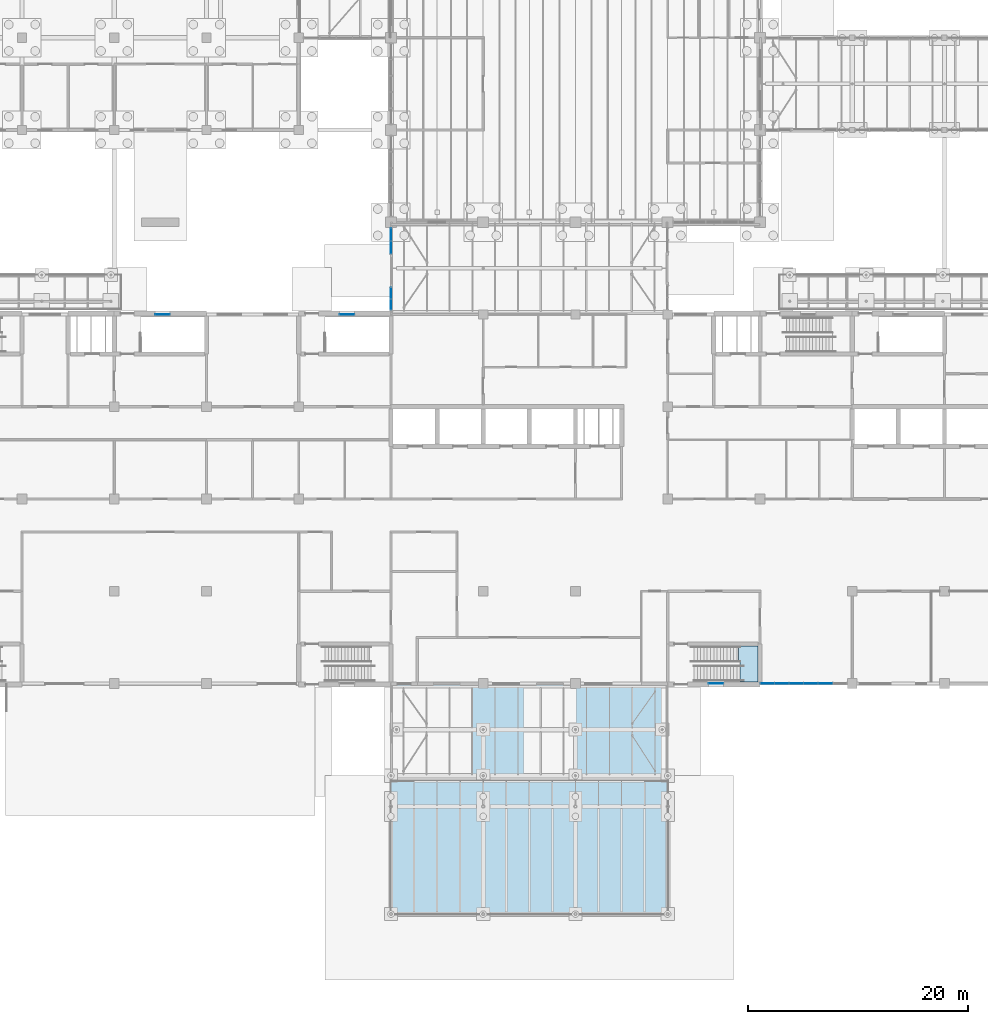
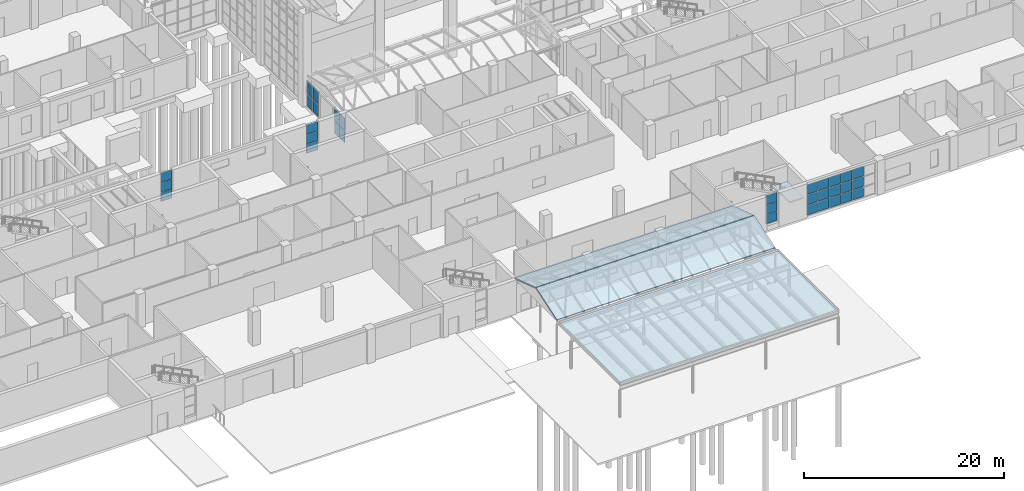
# One storey, part 78 of 138: 32 plates, 4 slabs, 7 elements without a shape of their own.
"""IFC4 building model written with IfcOpenShell, lengths in metres."""

from ifc_helpers import new_model, si_unit, direction, frame, origin, origin_2d, place, context, subcontext, project, spatial, polyline, rectangle, outline, extrude, material, layer, layer_set, type_object, element, aggregate, save


model = new_model("IFC4")

# Units and contexts
model_context = context("Model", 3, precision=1e-05, world=origin(), true_north=direction((0.0, 1.0)))
body_context = subcontext(model_context, "Body", "Model", "MODEL_VIEW")
ifc_project = project(units=[si_unit("LENGTHUNIT", "METRE"), si_unit("AREAUNIT", "SQUARE_METRE"), si_unit("VOLUMEUNIT", "CUBIC_METRE"), si_unit("PLANEANGLEUNIT", "RADIAN"), si_unit("MASSUNIT", "GRAM", prefix="KILO")], contexts=[model_context])

# Site, building, storey
site_placement = place(None, origin())
site = spatial("IfcSite", under=ifc_project, at=site_placement, CompositionType="ELEMENT")
building_placement = place(site_placement, origin())
building = spatial("IfcBuilding", under=site, at=building_placement, Name="Yavir Park General Hospital", CompositionType="ELEMENT")
storey_placement = place(building_placement, origin())
storey = spatial("IfcBuildingStorey", under=building, at=storey_placement, Name="L00", CompositionType="ELEMENT", Elevation=0.0)

# Curtain wall, plates
ifc_material_1 = material(Name="Aluminium curtain wall frame with insulated glazing", Category="aluminium")
curtain_wall_type_1 = type_object("IfcCurtainWallType", Name="Glazed foyer walls, 3164 high, 1400 module", PredefinedType="NOTDEFINED", material=ifc_material_1)
curtain_wall_1_placement = place(storey_placement, origin())
curtain_wall_1 = element("IfcCurtainWall", 1, at=curtain_wall_1_placement, inside=storey, type_object=curtain_wall_type_1, Name="CW36 L00-048", PredefinedType="NOTDEFINED")
ifc_material_2 = material(Name="Security glazed unit 50 mm")
ifc_layer_1 = layer(ifc_material_2, 0.0400390625)
ifc_layer_set_1 = layer_set([ifc_layer_1], Name="Security glazed unit 50 mm")
plate_type_1 = type_object("IfcPlateType", Name="Glazed foyer walls, 3164 high panel 40", PredefinedType="CURTAIN_PANEL", material=ifc_layer_set_1)
plate_1_placement = place(storey_placement, frame((75.60009765625, 34.499267578125, 0.06005859375), z_axis=(0.0, 0.0, 1.0), x_axis=(0.0, 1.0, 0.0)))
plate_1 = element("IfcPlate", 2, at=plate_1_placement, type_object=plate_type_1, Name="CW36 panel 1.1", PredefinedType="CURTAIN_PANEL", context=body_context, shape_type="SweptSolid", body=[
    extrude(rectangle(XDim=0.978759765625, YDim=0.0400390625, at=origin_2d()), origin(), (0.0, 0.0, 1.0), 1.491943359375),
])
plate_2_placement = place(storey_placement, frame((75.60009765625, 34.499267578125, 1.61181640625), z_axis=(0.0, 0.0, 1.0), x_axis=(0.0, 1.0, 0.0)))
plate_2 = element("IfcPlate", 3, at=plate_2_placement, type_object=plate_type_1, Name="CW36 panel 1.2", PredefinedType="CURTAIN_PANEL", context=body_context, shape_type="SweptSolid", body=[
    extrude(rectangle(XDim=0.978759765625, YDim=0.0400390625, at=origin_2d()), origin(), (0.0, 0.0, 1.0), 1.491943359375),
])
plate_3_placement = place(storey_placement, frame((75.60009765625, 35.5380859375, 0.06005859375), z_axis=(0.0, 0.0, 1.0), x_axis=(0.0, 1.0, 0.0)))
plate_3 = element("IfcPlate", 4, at=plate_3_placement, type_object=plate_type_1, Name="CW36 panel 2.1", PredefinedType="CURTAIN_PANEL", context=body_context, shape_type="SweptSolid", body=[
    extrude(rectangle(XDim=0.978759765625, YDim=0.0400390625, at=origin_2d()), origin(), (0.0, 0.0, 1.0), 1.491943359375),
])
plate_4_placement = place(storey_placement, frame((75.60009765625, 35.5380859375, 1.61181640625), z_axis=(0.0, 0.0, 1.0), x_axis=(0.0, 1.0, 0.0)))
plate_4 = element("IfcPlate", 5, at=plate_4_placement, type_object=plate_type_1, Name="CW36 panel 2.2", PredefinedType="CURTAIN_PANEL", context=body_context, shape_type="SweptSolid", body=[
    extrude(rectangle(XDim=0.978759765625, YDim=0.0400390625, at=origin_2d()), origin(), (0.0, 0.0, 1.0), 1.491943359375),
])
aggregate(curtain_wall_1, [plate_1, plate_2, plate_3, plate_4])

curtain_wall_2_placement = place(storey_placement, origin())
curtain_wall_2 = element("IfcCurtainWall", 6, at=curtain_wall_2_placement, inside=storey, type_object=curtain_wall_type_1, Name="CW36 L00-049", PredefinedType="NOTDEFINED")
plate_5_placement = place(storey_placement, frame((75.60009765625, 39.70556640625, 0.06005859375), z_axis=(0.0, 0.0, 1.0), x_axis=(0.0, 1.0, 0.0)))
plate_5 = element("IfcPlate", 7, at=plate_5_placement, type_object=plate_type_1, Name="CW36 panel 1.1", PredefinedType="CURTAIN_PANEL", context=body_context, shape_type="SweptSolid", body=[
    extrude(rectangle(XDim=1.1162109375, YDim=0.0400390625, at=origin_2d()), origin(), (0.0, 0.0, 1.0), 1.491943359375),
])
plate_6_placement = place(storey_placement, frame((75.60009765625, 39.70556640625, 1.61181640625), z_axis=(0.0, 0.0, 1.0), x_axis=(0.0, 1.0, 0.0)))
plate_6 = element("IfcPlate", 8, at=plate_6_placement, type_object=plate_type_1, Name="CW36 panel 1.2", PredefinedType="CURTAIN_PANEL", context=body_context, shape_type="SweptSolid", body=[
    extrude(rectangle(XDim=1.1162109375, YDim=0.0400390625, at=origin_2d()), origin(), (0.0, 0.0, 1.0), 1.491943359375),
])
plate_7_placement = place(storey_placement, frame((75.60009765625, 40.8818359375, 0.06005859375), z_axis=(0.0, 0.0, 1.0), x_axis=(0.0, 1.0, 0.0)))
plate_7 = element("IfcPlate", 9, at=plate_7_placement, type_object=plate_type_1, Name="CW36 panel 2.1", PredefinedType="CURTAIN_PANEL", context=body_context, shape_type="SweptSolid", body=[
    extrude(rectangle(XDim=1.1162109375, YDim=0.0400390625, at=origin_2d()), origin(), (0.0, 0.0, 1.0), 1.491943359375),
])
plate_8_placement = place(storey_placement, frame((75.60009765625, 40.8818359375, 1.61181640625), z_axis=(0.0, 0.0, 1.0), x_axis=(0.0, 1.0, 0.0)))
plate_8 = element("IfcPlate", 10, at=plate_8_placement, type_object=plate_type_1, Name="CW36 panel 2.2", PredefinedType="CURTAIN_PANEL", context=body_context, shape_type="SweptSolid", body=[
    extrude(rectangle(XDim=1.1162109375, YDim=0.0400390625, at=origin_2d()), origin(), (0.0, 0.0, 1.0), 1.491943359375),
])
aggregate(curtain_wall_2, [plate_5, plate_6, plate_7, plate_8])

# Stair, slab
ifc_material_3 = material(Name="Concrete C30/37", Category="concrete")
stair_type = type_object("IfcStairType", Name="Patient escape stair, 30 risers of 150 mm, 1400 mm flights", PredefinedType="HALF_TURN_STAIR", material=ifc_material_3)
stair_placement = place(storey_placement, origin())
stair = element("IfcStair", 11, at=stair_placement, inside=storey, type_object=stair_type, Name="Stair SU4, L00 to L01", PredefinedType="HALF_TURN_STAIR")
ifc_material_4 = material(Name="Concrete C30/37", Category="concrete")
ifc_layer_2 = layer(ifc_material_4, 0.159912109375)
ifc_layer_set_2 = layer_set([ifc_layer_2], Name="Concrete C30/37")
slab_type_1 = type_object("IfcSlabType", Name="Patient escape stair half landing, reinforced concrete 160 mm", PredefinedType="LANDING", material=ifc_layer_set_2)
slab_1_placement = place(storey_placement, frame((0.0, 0.0, 2.090087890625)))
slab_1 = element("IfcSlab", 12, at=slab_1_placement, type_object=slab_type_1, Name="SU4 landing 1", PredefinedType="LANDING", context=body_context, shape_type="SweptSolid", body=[
    extrude(outline(polyline([(107.3984375, 0.14990234375), (109.0, 0.14990234375), (109.0, 3.39990234375), (107.25, 3.39990234375), (107.25, 1.949951171875), (107.3984375, 1.949951171875), (107.3984375, 0.14990234375)])), origin(), (0.0, 0.0, 1.0), 0.159912109375),
])
aggregate(stair, [slab_1])

# Slab
ifc_material_5 = material(Name="Concrete C35/45", Category="concrete")
ifc_layer_3 = layer(ifc_material_5, 0.25)
ifc_layer_set_3 = layer_set([ifc_layer_3], Name="Concrete C35/45")
slab_type_2 = type_object("IfcSlabType", Name="RC SLAB ROOF 250", PredefinedType="ROOF", material=ifc_layer_set_3)
slab_2_placement = place(storey_placement, frame((0.0, 0.0, 3.85009765625)))
element("IfcSlab", 13, at=slab_2_placement, inside=storey, type_object=slab_type_2, Name="RF:DROP:slab", PredefinedType="ROOF", context=body_context, shape_type="SweptSolid", body=[
    extrude(outline(polyline([(100.800048828125, -21.0), (100.800048828125, -8.89990234375), (75.60009765625, -8.89990234375), (75.60009765625, -21.0), (100.800048828125, -21.0)])), origin(), (0.0, 0.0, 1.0), 0.25),
])

# Curtain wall, plates
ifc_material_6 = material(Name="Aluminium curtain wall frame with insulated glazing", Category="aluminium")
curtain_wall_type_2 = type_object("IfcCurtainWallType", Name="Reception glazing, 3840 high, 1400 module", PredefinedType="NOTDEFINED", material=ifc_material_6)
curtain_wall_3_placement = place(storey_placement, origin())
curtain_wall_3 = element("IfcCurtainWall", 14, at=curtain_wall_3_placement, inside=storey, type_object=curtain_wall_type_2, Name="CW8 L00-004", PredefinedType="NOTDEFINED")
ifc_material_7 = material(Name="Security glazed unit 50 mm")
ifc_layer_4 = layer(ifc_material_7, 0.050048828125)
ifc_layer_set_4 = layer_set([ifc_layer_4], Name="Security glazed unit 50 mm")
plate_type_2 = type_object("IfcPlateType", Name="Reception glazing, 3840 high panel 50", PredefinedType="CURTAIN_PANEL", material=ifc_layer_set_4)
plate_9_placement = place(storey_placement, frame((109.87744140625, 0.0, 0.06005859375), z_axis=(0.0, 0.0, 1.0), x_axis=(1.0, 0.0, 0.0)))
plate_9 = element("IfcPlate", 15, at=plate_9_placement, type_object=plate_type_2, Name="CW8 panel 1.1", PredefinedType="CURTAIN_PANEL", context=body_context, shape_type="SweptSolid", body=[
    extrude(rectangle(XDim=1.235107421875, YDim=0.050048828125, at=origin_2d()), origin(), (0.0, 0.0, 1.0), 1.18994140625),
])
plate_10_placement = place(storey_placement, frame((109.87744140625, 0.0, 1.31005859375), z_axis=(0.0, 0.0, 1.0), x_axis=(1.0, 0.0, 0.0)))
plate_10 = element("IfcPlate", 16, at=plate_10_placement, type_object=plate_type_2, Name="CW8 panel 1.2", PredefinedType="CURTAIN_PANEL", context=body_context, shape_type="SweptSolid", body=[
    extrude(rectangle(XDim=1.235107421875, YDim=0.050048828125, at=origin_2d()), origin(), (0.0, 0.0, 1.0), 1.219970703125),
])
plate_11_placement = place(storey_placement, frame((109.87744140625, 0.0, 2.590087890625), z_axis=(0.0, 0.0, 1.0), x_axis=(1.0, 0.0, 0.0)))
plate_11 = element("IfcPlate", 17, at=plate_11_placement, type_object=plate_type_2, Name="CW8 panel 1.3", PredefinedType="CURTAIN_PANEL", context=body_context, shape_type="SweptSolid", body=[
    extrude(rectangle(XDim=1.235107421875, YDim=0.050048828125, at=origin_2d()), origin(), (0.0, 0.0, 1.0), 1.18994140625),
])
plate_12_placement = place(storey_placement, frame((111.1875, 0.0, 0.06005859375), z_axis=(0.0, 0.0, 1.0), x_axis=(1.0, 0.0, 0.0)))
plate_12 = element("IfcPlate", 18, at=plate_12_placement, type_object=plate_type_2, Name="CW8 panel 2.1", PredefinedType="CURTAIN_PANEL", context=body_context, shape_type="SweptSolid", body=[
    extrude(rectangle(XDim=1.264892578125, YDim=0.050048828125, at=origin_2d()), origin(), (0.0, 0.0, 1.0), 1.18994140625),
])
plate_13_placement = place(storey_placement, frame((111.1875, 0.0, 1.31005859375), z_axis=(0.0, 0.0, 1.0), x_axis=(1.0, 0.0, 0.0)))
plate_13 = element("IfcPlate", 19, at=plate_13_placement, type_object=plate_type_2, Name="CW8 panel 2.2", PredefinedType="CURTAIN_PANEL", context=body_context, shape_type="SweptSolid", body=[
    extrude(rectangle(XDim=1.264892578125, YDim=0.050048828125, at=origin_2d()), origin(), (0.0, 0.0, 1.0), 1.219970703125),
])
plate_14_placement = place(storey_placement, frame((111.1875, 0.0, 2.590087890625), z_axis=(0.0, 0.0, 1.0), x_axis=(1.0, 0.0, 0.0)))
plate_14 = element("IfcPlate", 20, at=plate_14_placement, type_object=plate_type_2, Name="CW8 panel 2.3", PredefinedType="CURTAIN_PANEL", context=body_context, shape_type="SweptSolid", body=[
    extrude(rectangle(XDim=1.264892578125, YDim=0.050048828125, at=origin_2d()), origin(), (0.0, 0.0, 1.0), 1.18994140625),
])
plate_15_placement = place(storey_placement, frame((112.512451171875, 0.0, 0.06005859375), z_axis=(0.0, 0.0, 1.0), x_axis=(1.0, 0.0, 0.0)))
plate_15 = element("IfcPlate", 21, at=plate_15_placement, type_object=plate_type_2, Name="CW8 panel 3.1", PredefinedType="CURTAIN_PANEL", context=body_context, shape_type="SweptSolid", body=[
    extrude(rectangle(XDim=1.264892578125, YDim=0.050048828125, at=origin_2d()), origin(), (0.0, 0.0, 1.0), 1.18994140625),
])
plate_16_placement = place(storey_placement, frame((112.512451171875, 0.0, 1.31005859375), z_axis=(0.0, 0.0, 1.0), x_axis=(1.0, 0.0, 0.0)))
plate_16 = element("IfcPlate", 22, at=plate_16_placement, type_object=plate_type_2, Name="CW8 panel 3.2", PredefinedType="CURTAIN_PANEL", context=body_context, shape_type="SweptSolid", body=[
    extrude(rectangle(XDim=1.264892578125, YDim=0.050048828125, at=origin_2d()), origin(), (0.0, 0.0, 1.0), 1.219970703125),
])
plate_17_placement = place(storey_placement, frame((112.512451171875, 0.0, 2.590087890625), z_axis=(0.0, 0.0, 1.0), x_axis=(1.0, 0.0, 0.0)))
plate_17 = element("IfcPlate", 23, at=plate_17_placement, type_object=plate_type_2, Name="CW8 panel 3.3", PredefinedType="CURTAIN_PANEL", context=body_context, shape_type="SweptSolid", body=[
    extrude(rectangle(XDim=1.264892578125, YDim=0.050048828125, at=origin_2d()), origin(), (0.0, 0.0, 1.0), 1.18994140625),
])
plate_18_placement = place(storey_placement, frame((113.83740234375, 0.0, 0.06005859375), z_axis=(0.0, 0.0, 1.0), x_axis=(1.0, 0.0, 0.0)))
plate_18 = element("IfcPlate", 24, at=plate_18_placement, type_object=plate_type_2, Name="CW8 panel 4.1", PredefinedType="CURTAIN_PANEL", context=body_context, shape_type="SweptSolid", body=[
    extrude(rectangle(XDim=1.264892578125, YDim=0.050048828125, at=origin_2d()), origin(), (0.0, 0.0, 1.0), 1.18994140625),
])
plate_19_placement = place(storey_placement, frame((113.83740234375, 0.0, 1.31005859375), z_axis=(0.0, 0.0, 1.0), x_axis=(1.0, 0.0, 0.0)))
plate_19 = element("IfcPlate", 25, at=plate_19_placement, type_object=plate_type_2, Name="CW8 panel 4.2", PredefinedType="CURTAIN_PANEL", context=body_context, shape_type="SweptSolid", body=[
    extrude(rectangle(XDim=1.264892578125, YDim=0.050048828125, at=origin_2d()), origin(), (0.0, 0.0, 1.0), 1.219970703125),
])
plate_20_placement = place(storey_placement, frame((113.83740234375, 0.0, 2.590087890625), z_axis=(0.0, 0.0, 1.0), x_axis=(1.0, 0.0, 0.0)))
plate_20 = element("IfcPlate", 26, at=plate_20_placement, type_object=plate_type_2, Name="CW8 panel 4.3", PredefinedType="CURTAIN_PANEL", context=body_context, shape_type="SweptSolid", body=[
    extrude(rectangle(XDim=1.264892578125, YDim=0.050048828125, at=origin_2d()), origin(), (0.0, 0.0, 1.0), 1.18994140625),
])
plate_21_placement = place(storey_placement, frame((115.16259765625, 0.0, 0.06005859375), z_axis=(0.0, 0.0, 1.0), x_axis=(1.0, 0.0, 0.0)))
plate_21 = element("IfcPlate", 27, at=plate_21_placement, type_object=plate_type_2, Name="CW8 panel 5.1", PredefinedType="CURTAIN_PANEL", context=body_context, shape_type="SweptSolid", body=[
    extrude(rectangle(XDim=1.264892578125, YDim=0.050048828125, at=origin_2d()), origin(), (0.0, 0.0, 1.0), 1.18994140625),
])
plate_22_placement = place(storey_placement, frame((115.16259765625, 0.0, 1.31005859375), z_axis=(0.0, 0.0, 1.0), x_axis=(1.0, 0.0, 0.0)))
plate_22 = element("IfcPlate", 28, at=plate_22_placement, type_object=plate_type_2, Name="CW8 panel 5.2", PredefinedType="CURTAIN_PANEL", context=body_context, shape_type="SweptSolid", body=[
    extrude(rectangle(XDim=1.264892578125, YDim=0.050048828125, at=origin_2d()), origin(), (0.0, 0.0, 1.0), 1.219970703125),
])
plate_23_placement = place(storey_placement, frame((115.16259765625, 0.0, 2.590087890625), z_axis=(0.0, 0.0, 1.0), x_axis=(1.0, 0.0, 0.0)))
plate_23 = element("IfcPlate", 29, at=plate_23_placement, type_object=plate_type_2, Name="CW8 panel 5.3", PredefinedType="CURTAIN_PANEL", context=body_context, shape_type="SweptSolid", body=[
    extrude(rectangle(XDim=1.264892578125, YDim=0.050048828125, at=origin_2d()), origin(), (0.0, 0.0, 1.0), 1.18994140625),
])
aggregate(curtain_wall_3, [plate_9, plate_10, plate_11, plate_12, plate_13, plate_14, plate_15, plate_16, plate_17, plate_18, plate_19, plate_20, plate_21, plate_22, plate_23])

# Slabs
ifc_material_8 = material(Name="Toughened safety glass", Category="glass")
ifc_layer_5 = layer(ifc_material_8, 0.14990234375)
ifc_layer_set_5 = layer_set([ifc_layer_5], Name="Toughened safety glass")
slab_type_3 = type_object("IfcSlabType", Name="Safety glass roof panel 150", PredefinedType="ROOF", material=ifc_layer_set_5)
slab_3_placement = place(storey_placement, frame((75.60009765625, -8.39990234375, 4.199951171875), z_axis=(0.0, -0.316261191347, 0.948672155619), x_axis=(1.0, 0.0, 0.0)))
element("IfcSlab", 30, at=slab_3_placement, inside=storey, type_object=slab_type_3, Name="Entrance porch roof glazing PORCH-S1", PredefinedType="ROOF", context=body_context, shape_type="SweptSolid", body=[
    extrude(outline(polyline([(0.0, 0.0), (25.199951171875, 0.0), (25.199951171875, 4.382410381182039), (0.0, 4.382410381182039), (0.0, 0.0)])), origin(), (0.0, 0.0, -1.0), 0.14990234375),
])
slab_4_placement = place(storey_placement, frame((75.60009765625, -4.15771484375, 5.5859375), z_axis=(0.0, 0.316244477848, 0.948677727277), x_axis=(1.0, 0.0, 0.0)))
element("IfcSlab", 31, at=slab_4_placement, inside=storey, type_object=slab_type_3, Name="Entrance porch roof glazing PORCH-N1", PredefinedType="ROOF", context=body_context, shape_type="SweptSolid", body=[
    extrude(outline(polyline([(0.0, 0.0), (25.199951171875, 0.0), (25.199951171875, 4.382641991275183), (0.0, 4.382641991275183), (0.0, 0.0)])), origin(), (0.0, 0.0, -1.0), 0.14990234375),
])

# Curtain wall, plates
ifc_material_9 = material(Name="Aluminium curtain wall frame with insulated glazing", Category="aluminium")
curtain_wall_type_3 = type_object("IfcCurtainWallType", Name="Stair light slot, ground floor, 3540 high, 1400 module", PredefinedType="NOTDEFINED", material=ifc_material_9)
curtain_wall_4_placement = place(storey_placement, origin())
curtain_wall_4 = element("IfcCurtainWall", 32, at=curtain_wall_4_placement, inside=storey, type_object=curtain_wall_type_3, Name="CW19 L00-003", PredefinedType="NOTDEFINED")
ifc_material_10 = material(Name="Impact-resistant glazed unit 60 mm")
ifc_layer_6 = layer(ifc_material_10, 0.06005859375)
ifc_layer_set_6 = layer_set([ifc_layer_6], Name="Impact-resistant glazed unit 60 mm")
plate_type_3 = type_object("IfcPlateType", Name="Stair light slot, ground floor, 3540 high panel 60", PredefinedType="CURTAIN_PANEL", material=ifc_layer_set_6)
plate_24_placement = place(storey_placement, frame((105.199951171875, 0.0, 0.64990234375), z_axis=(0.0, 0.0, 1.0), x_axis=(1.0, 0.0, 0.0)))
plate_24 = element("IfcPlate", 33, at=plate_24_placement, type_object=plate_type_3, Name="CW19 panel 1.1", PredefinedType="CURTAIN_PANEL", context=body_context, shape_type="SweptSolid", body=[
    extrude(rectangle(XDim=1.300048828125, YDim=0.06005859375, at=origin_2d()), origin(), (0.0, 0.0, 1.0), 1.10498046875),
])
plate_25_placement = place(storey_placement, frame((105.199951171875, 0.0, 1.80517578125), z_axis=(0.0, 0.0, 1.0), x_axis=(1.0, 0.0, 0.0)))
plate_25 = element("IfcPlate", 34, at=plate_25_placement, type_object=plate_type_3, Name="CW19 panel 1.2", PredefinedType="CURTAIN_PANEL", context=body_context, shape_type="SweptSolid", body=[
    extrude(rectangle(XDim=1.300048828125, YDim=0.06005859375, at=origin_2d()), origin(), (0.0, 0.0, 1.0), 1.1298828125),
])
plate_26_placement = place(storey_placement, frame((105.199951171875, 0.0, 2.985107421875), z_axis=(0.0, 0.0, 1.0), x_axis=(1.0, 0.0, 0.0)))
plate_26 = element("IfcPlate", 35, at=plate_26_placement, type_object=plate_type_3, Name="CW19 panel 1.3", PredefinedType="CURTAIN_PANEL", context=body_context, shape_type="SweptSolid", body=[
    extrude(rectangle(XDim=1.300048828125, YDim=0.06005859375, at=origin_2d()), origin(), (0.0, 0.0, 1.0), 1.10498046875),
])
aggregate(curtain_wall_4, [plate_24, plate_25, plate_26])

curtain_wall_5_placement = place(storey_placement, origin())
curtain_wall_5 = element("IfcCurtainWall", 36, at=curtain_wall_5_placement, inside=storey, type_object=curtain_wall_type_3, Name="CW19 L00-007", PredefinedType="NOTDEFINED")
plate_27_placement = place(storey_placement, frame((54.800048828125, 33.60009765625, 0.64990234375), z_axis=(0.0, 0.0, 1.0), x_axis=(1.0, 0.0, 0.0)))
plate_27 = element("IfcPlate", 37, at=plate_27_placement, type_object=plate_type_3, Name="CW19 panel 1.1", PredefinedType="CURTAIN_PANEL", context=body_context, shape_type="SweptSolid", body=[
    extrude(rectangle(XDim=1.300048828125, YDim=0.06005859375, at=origin_2d()), origin(), (0.0, 0.0, 1.0), 1.10498046875),
])
plate_28_placement = place(storey_placement, frame((54.800048828125, 33.60009765625, 1.80517578125), z_axis=(0.0, 0.0, 1.0), x_axis=(1.0, 0.0, 0.0)))
plate_28 = element("IfcPlate", 38, at=plate_28_placement, type_object=plate_type_3, Name="CW19 panel 1.2", PredefinedType="CURTAIN_PANEL", context=body_context, shape_type="SweptSolid", body=[
    extrude(rectangle(XDim=1.300048828125, YDim=0.06005859375, at=origin_2d()), origin(), (0.0, 0.0, 1.0), 1.1298828125),
])
plate_29_placement = place(storey_placement, frame((54.800048828125, 33.60009765625, 2.985107421875), z_axis=(0.0, 0.0, 1.0), x_axis=(1.0, 0.0, 0.0)))
plate_29 = element("IfcPlate", 39, at=plate_29_placement, type_object=plate_type_3, Name="CW19 panel 1.3", PredefinedType="CURTAIN_PANEL", context=body_context, shape_type="SweptSolid", body=[
    extrude(rectangle(XDim=1.300048828125, YDim=0.06005859375, at=origin_2d()), origin(), (0.0, 0.0, 1.0), 1.10498046875),
])
aggregate(curtain_wall_5, [plate_27, plate_28, plate_29])

curtain_wall_6_placement = place(storey_placement, origin())
curtain_wall_6 = element("IfcCurtainWall", 40, at=curtain_wall_6_placement, inside=storey, type_object=curtain_wall_type_3, Name="CW19 L00-008", PredefinedType="NOTDEFINED")
plate_30_placement = place(storey_placement, frame((71.60009765625, 33.60009765625, 0.64990234375), z_axis=(0.0, 0.0, 1.0), x_axis=(1.0, 0.0, 0.0)))
plate_30 = element("IfcPlate", 41, at=plate_30_placement, type_object=plate_type_3, Name="CW19 panel 1.1", PredefinedType="CURTAIN_PANEL", context=body_context, shape_type="SweptSolid", body=[
    extrude(rectangle(XDim=1.300048828125, YDim=0.06005859375, at=origin_2d()), origin(), (0.0, 0.0, 1.0), 1.10498046875),
])
plate_31_placement = place(storey_placement, frame((71.60009765625, 33.60009765625, 1.80517578125), z_axis=(0.0, 0.0, 1.0), x_axis=(1.0, 0.0, 0.0)))
plate_31 = element("IfcPlate", 42, at=plate_31_placement, type_object=plate_type_3, Name="CW19 panel 1.2", PredefinedType="CURTAIN_PANEL", context=body_context, shape_type="SweptSolid", body=[
    extrude(rectangle(XDim=1.300048828125, YDim=0.06005859375, at=origin_2d()), origin(), (0.0, 0.0, 1.0), 1.1298828125),
])
plate_32_placement = place(storey_placement, frame((71.60009765625, 33.60009765625, 2.985107421875), z_axis=(0.0, 0.0, 1.0), x_axis=(1.0, 0.0, 0.0)))
plate_32 = element("IfcPlate", 43, at=plate_32_placement, type_object=plate_type_3, Name="CW19 panel 1.3", PredefinedType="CURTAIN_PANEL", context=body_context, shape_type="SweptSolid", body=[
    extrude(rectangle(XDim=1.300048828125, YDim=0.06005859375, at=origin_2d()), origin(), (0.0, 0.0, 1.0), 1.10498046875),
])
aggregate(curtain_wall_6, [plate_30, plate_31, plate_32])

save(model, "model.ifc")
